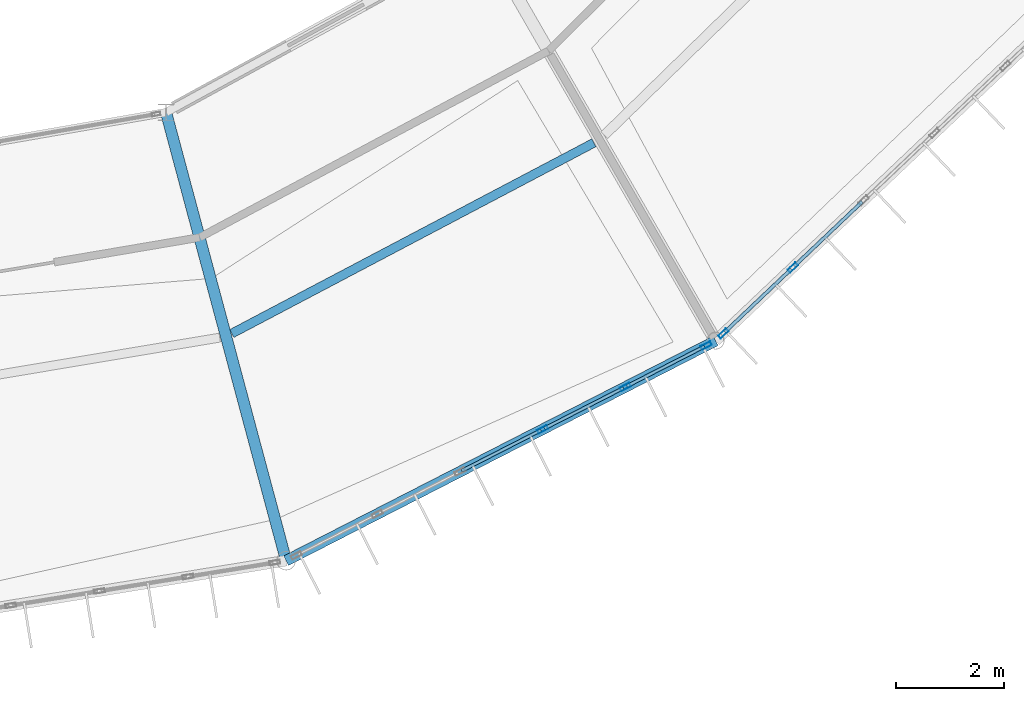
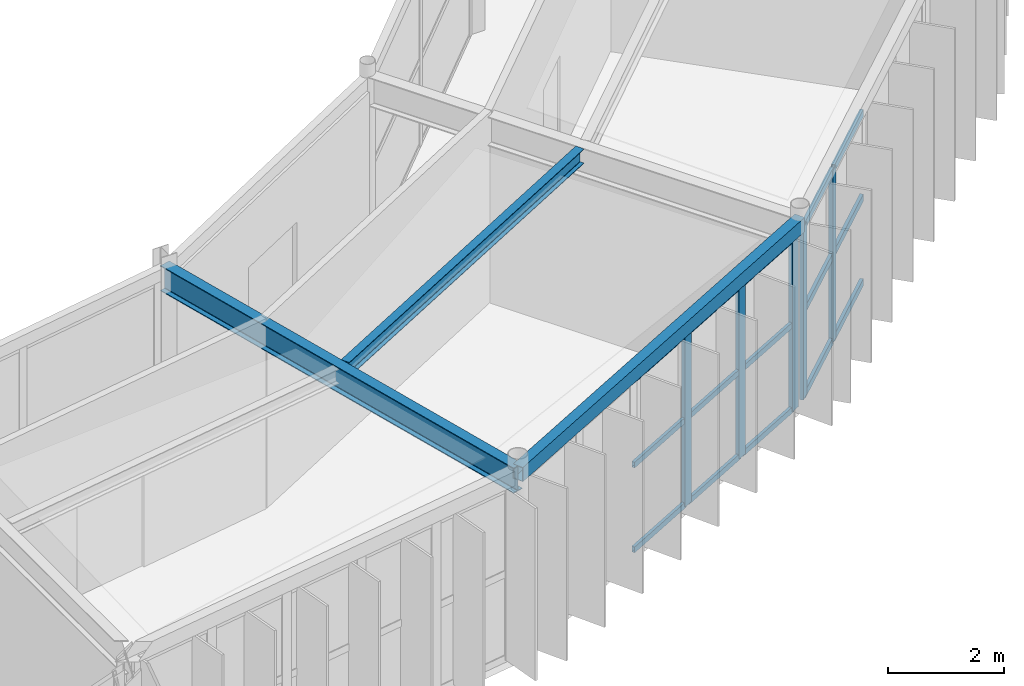
# One storey, part 48 of 147: 20 members, 3 beams, 2 elements without a shape of their own.
"""IFC4 building model written with IfcOpenShell, lengths in metres."""

from ifc_helpers import new_model, si_unit, direction, frame, origin, origin_2d, place, context, subcontext, project, spatial, hollow_rectangle, i_section, extrude, material, material_profile, profile_set, type_object, element, aggregate, save


model = new_model("IFC4")

# Units and contexts
model_context = context("Model", 3, precision=1e-05, world=origin(), true_north=direction((0.0, 1.0)))
body_context = subcontext(model_context, "Body", "Model", "MODEL_VIEW")
ifc_project = project(units=[si_unit("LENGTHUNIT", "METRE"), si_unit("AREAUNIT", "SQUARE_METRE"), si_unit("VOLUMEUNIT", "CUBIC_METRE"), si_unit("PLANEANGLEUNIT", "RADIAN"), si_unit("MASSUNIT", "GRAM", prefix="KILO")], contexts=[model_context])

# Site, building, storey
site_placement = place(None, origin())
site = spatial("IfcSite", under=ifc_project, at=site_placement, CompositionType="ELEMENT")
building_placement = place(site_placement, origin())
building = spatial("IfcBuilding", under=site, at=building_placement, Name="Karori Crest Natural Sciences Institute", CompositionType="ELEMENT")
storey_placement = place(building_placement, frame((0.0, 0.0, 9.10009765625)))
storey = spatial("IfcBuildingStorey", under=building, at=storey_placement, Name="L02", CompositionType="ELEMENT", Elevation=9.10009765625)

# Beams
ifc_material_1 = material(Name="Structural steel AS/NZS 3679.1 Grade 350", Category="steel")
ifc_material_profile_1 = material_profile(ifc_material_1, i_section(OverallWidth=0.208984375, OverallDepth=0.532958984375, WebThickness=0.01025390625, FlangeThickness=0.015625, FilletRadius=0.013916015625, at=origin_2d()), Name="530UB92.4")
ifc_profile_set_1 = profile_set([ifc_material_profile_1], Name="Structural steel AS/NZS 3679.1 Grade 350")
beam_type_1 = type_object("IfcBeamType", Name="BT-05", PredefinedType="BEAM", material=ifc_profile_set_1)
beam_1_placement = place(storey_placement, frame((72.715087890625, 18.797119140625, 3.67333984375), z_axis=(0.258819806009, -0.965925622404, 0.0), x_axis=(0.965925622404, 0.258819806009, 0.0)))
element("IfcBeam", 1, at=beam_1_placement, inside=storey, type_object=beam_type_1, Name="Beam B-0344", PredefinedType="BEAM", context=body_context, shape_type="SweptSolid", body=[
    extrude(i_section(OverallWidth=0.208984375, OverallDepth=0.532958984375, WebThickness=0.01025390625, FlangeThickness=0.015625, FilletRadius=0.013916015625, at=origin_2d()), origin(), (0.0, 0.0, 1.0), 8.599853515625),
])
ifc_material_profile_2 = material_profile(ifc_material_1, i_section(OverallWidth=0.166015625, OverallDepth=0.306884765625, WebThickness=0.006591796875, FlangeThickness=0.01171875, FilletRadius=0.010986328125, at=origin_2d()), Name="310UB46.2")
ifc_profile_set_2 = profile_set([ifc_material_profile_2], Name="Structural steel AS/NZS 3679.1 Grade 350")
beam_type_2 = type_object("IfcBeamType", Name="BT-09", PredefinedType="BEAM", material=ifc_profile_set_2)
beam_2_placement = place(storey_placement, frame((73.934326171875, 14.69970703125, 3.786376953125), z_axis=(0.884748465601, 0.466068828197, 0.0), x_axis=(-0.466068828197, 0.884748465601, 0.0)))
element("IfcBeam", 2, at=beam_2_placement, inside=storey, type_object=beam_type_2, Name="Beam B-0345", PredefinedType="BEAM", context=body_context, shape_type="SweptSolid", body=[
    extrude(i_section(OverallWidth=0.166015625, OverallDepth=0.306884765625, WebThickness=0.006591796875, FlangeThickness=0.01171875, FilletRadius=0.010986328125, at=origin_2d()), origin(), (0.0, 0.0, 1.0), 7.58349609375),
])
ifc_material_2 = material(Name="Hollow structural steel AS/NZS 1163 Grade C350", Category="steel")
ifc_material_profile_3 = material_profile(ifc_material_2, hollow_rectangle(XDim=0.199951171875, YDim=0.300048828125, WallThickness=0.010009765625, at=origin_2d()), Name="RHS300x200x10")
ifc_profile_set_3 = profile_set([ifc_material_profile_3], Name="Hollow structural steel AS/NZS 1163 Grade C350")
beam_type_3 = type_object("IfcBeamType", Name="BT-15", PredefinedType="SPANDREL", material=ifc_profile_set_3)
beam_3_placement = place(storey_placement, frame((74.94091796875, 10.490234375, 3.789794921875), z_axis=(0.890071733872, 0.455820478436, 0.0), x_axis=(-0.455820478436, 0.890071733872, 0.0)))
element("IfcBeam", 3, at=beam_3_placement, inside=storey, type_object=beam_type_3, Name="Beam B-0342", PredefinedType="SPANDREL", context=body_context, shape_type="SweptSolid", body=[
    extrude(hollow_rectangle(XDim=0.199951171875, YDim=0.300048828125, WallThickness=0.010009765625, at=origin_2d()), origin(), (0.0, 0.0, 1.0), 8.94189453125),
])

# Curtain wall, members
ifc_material_3 = material(Name="Anodised architectural aluminium 6063-T6", Category="aluminium")
curtain_wall_type_1 = type_object("IfcCurtainWallType", Name="CWT-10", PredefinedType="NOTDEFINED", material=ifc_material_3)
curtain_wall_1_placement = place(storey_placement, origin())
curtain_wall_1 = element("IfcCurtainWall", 4, at=curtain_wall_1_placement, inside=storey, type_object=curtain_wall_type_1, Name="Curtain wall CW-0093", PredefinedType="NOTDEFINED")
ifc_material_profile_4 = material_profile(ifc_material_3, hollow_rectangle(XDim=0.074951171875, YDim=0.199951171875, WallThickness=0.0048828125, at=origin_2d()), Name="CWM200x75x5")
ifc_profile_set_4 = profile_set([ifc_material_profile_4], Name="Anodised architectural aluminium 6063-T6")
member_type_1 = type_object("IfcMemberType", Name="CWM-02", PredefinedType="MULLION", material=ifc_profile_set_4)
member_1_placement = place(storey_placement, frame((82.72412109375, 14.476318359375, 0.0), z_axis=(0.0, 0.0, 1.0), x_axis=(0.455832988828, -0.890065326982, 0.0)))
member_1 = element("IfcMember", 5, at=member_1_placement, type_object=member_type_1, Name="CW-0093 mullion 1", PredefinedType="MULLION", context=body_context, shape_type="SweptSolid", body=[
    extrude(hollow_rectangle(XDim=0.074951171875, YDim=0.199951171875, WallThickness=0.0048828125, at=origin_2d()), origin(), (0.0, 0.0, 1.0), 3.625),
])
member_2_placement = place(storey_placement, frame((81.2255859375, 13.708740234375, 0.0), z_axis=(0.0, 0.0, 1.0), x_axis=(0.455832988828, -0.890065326982, 0.0)))
member_2 = element("IfcMember", 6, at=member_2_placement, type_object=member_type_1, Name="CW-0093 mullion 2", PredefinedType="MULLION", context=body_context, shape_type="SweptSolid", body=[
    extrude(hollow_rectangle(XDim=0.074951171875, YDim=0.199951171875, WallThickness=0.0048828125, at=origin_2d()), origin(), (0.0, 0.0, 1.0), 3.625),
])
member_3_placement = place(storey_placement, frame((79.693603515625, 12.924072265625, 0.0), z_axis=(0.0, 0.0, 1.0), x_axis=(0.455832988828, -0.890065326982, 0.0)))
member_3 = element("IfcMember", 7, at=member_3_placement, type_object=member_type_1, Name="CW-0093 mullion 3", PredefinedType="MULLION", context=body_context, shape_type="SweptSolid", body=[
    extrude(hollow_rectangle(XDim=0.074951171875, YDim=0.199951171875, WallThickness=0.0048828125, at=origin_2d()), origin(), (0.0, 0.0, 1.0), 3.625),
])

curtain_wall_type_2 = type_object("IfcCurtainWallType", Name="CWT-01", PredefinedType="NOTDEFINED", material=ifc_material_3)
curtain_wall_2_placement = place(storey_placement, origin())
curtain_wall_2 = element("IfcCurtainWall", 8, at=curtain_wall_2_placement, inside=storey, type_object=curtain_wall_type_2, Name="Curtain wall CW-0094", PredefinedType="NOTDEFINED")
member_4_placement = place(storey_placement, frame((84.3291015625, 15.921875, 0.0), z_axis=(0.0, 0.0, 1.0), x_axis=(0.688250886925, -0.725472753897, 0.0)))
member_4 = element("IfcMember", 9, at=member_4_placement, type_object=member_type_1, Name="CW-0094 mullion 5", PredefinedType="MULLION", context=body_context, shape_type="SweptSolid", body=[
    extrude(hollow_rectangle(XDim=0.074951171875, YDim=0.199951171875, WallThickness=0.0048828125, at=origin_2d()), origin(), (0.0, 0.0, 1.0), 3.625),
])
member_5_placement = place(storey_placement, frame((83.043212890625, 14.7021484375, 0.0), z_axis=(0.0, 0.0, 1.0), x_axis=(0.688250886925, -0.725472753897, 0.0)))
member_5 = element("IfcMember", 10, at=member_5_placement, type_object=member_type_1, Name="CW-0094 mullion 6", PredefinedType="MULLION", context=body_context, shape_type="SweptSolid", body=[
    extrude(hollow_rectangle(XDim=0.074951171875, YDim=0.199951171875, WallThickness=0.0048828125, at=origin_2d()), origin(), (0.0, 0.0, 1.0), 3.625),
])

# Member
ifc_material_profile_5 = material_profile(ifc_material_3, hollow_rectangle(XDim=0.06005859375, YDim=0.1201171875, WallThickness=0.00390625, at=origin_2d()), Name="CWT120x60x4")
ifc_profile_set_5 = profile_set([ifc_material_profile_5], Name="Anodised architectural aluminium 6063-T6")
member_type_2 = type_object("IfcMemberType", Name="CWT-TR1", PredefinedType="USERDEFINED", material=ifc_profile_set_5)
member_6_placement = place(storey_placement, frame((82.69091796875, 14.459228515625, 0.02978515625), z_axis=(-0.890044866674, -0.455872937679, 0.0), x_axis=(0.455872937679, -0.890044866674, 0.0)))
member_6 = element("IfcMember", 11, at=member_6_placement, type_object=member_type_2, Name="CW-0093 transom 1.1", ObjectType="TRANSOM", PredefinedType="USERDEFINED", context=body_context, shape_type="SweptSolid", body=[
    extrude(hollow_rectangle(XDim=0.06005859375, YDim=0.1201171875, WallThickness=0.00390625, at=origin_2d()), origin(), (0.0, 0.0, 1.0), 1.60888671875),
])

member_7_placement = place(storey_placement, frame((82.69091796875, 14.459228515625, 1.8125), z_axis=(-0.890044866674, -0.455872937679, 0.0), x_axis=(0.455872937679, -0.890044866674, 0.0)))
member_7 = element("IfcMember", 12, at=member_7_placement, type_object=member_type_2, Name="CW-0093 transom 1.2", ObjectType="TRANSOM", PredefinedType="USERDEFINED", context=body_context, shape_type="SweptSolid", body=[
    extrude(hollow_rectangle(XDim=0.06005859375, YDim=0.1201171875, WallThickness=0.00390625, at=origin_2d()), origin(), (0.0, 0.0, 1.0), 1.60888671875),
])

member_8_placement = place(storey_placement, frame((82.69091796875, 14.459228515625, 3.594970703125), z_axis=(-0.890044866674, -0.455872937679, 0.0), x_axis=(0.455872937679, -0.890044866674, 0.0)))
member_8 = element("IfcMember", 13, at=member_8_placement, type_object=member_type_2, Name="CW-0093 transom 1.3", ObjectType="TRANSOM", PredefinedType="USERDEFINED", context=body_context, shape_type="SweptSolid", body=[
    extrude(hollow_rectangle(XDim=0.06005859375, YDim=0.1201171875, WallThickness=0.00390625, at=origin_2d()), origin(), (0.0, 0.0, 1.0), 1.60888671875),
])

member_9_placement = place(storey_placement, frame((81.192138671875, 13.691650390625, 0.02978515625), z_axis=(-0.890024283327, -0.455913122304, 0.0), x_axis=(0.455913122304, -0.890024283327, 0.0)))
member_9 = element("IfcMember", 14, at=member_9_placement, type_object=member_type_2, Name="CW-0093 transom 2.1", ObjectType="TRANSOM", PredefinedType="USERDEFINED", context=body_context, shape_type="SweptSolid", body=[
    extrude(hollow_rectangle(XDim=0.06005859375, YDim=0.1201171875, WallThickness=0.00390625, at=origin_2d()), origin(), (0.0, 0.0, 1.0), 1.646240234375),
])

member_10_placement = place(storey_placement, frame((81.192138671875, 13.691650390625, 1.8125), z_axis=(-0.890024283327, -0.455913122304, 0.0), x_axis=(0.455913122304, -0.890024283327, 0.0)))
member_10 = element("IfcMember", 15, at=member_10_placement, type_object=member_type_2, Name="CW-0093 transom 2.2", ObjectType="TRANSOM", PredefinedType="USERDEFINED", context=body_context, shape_type="SweptSolid", body=[
    extrude(hollow_rectangle(XDim=0.06005859375, YDim=0.1201171875, WallThickness=0.00390625, at=origin_2d()), origin(), (0.0, 0.0, 1.0), 1.646240234375),
])

member_11_placement = place(storey_placement, frame((81.192138671875, 13.691650390625, 3.594970703125), z_axis=(-0.890024283327, -0.455913122304, 0.0), x_axis=(0.455913122304, -0.890024283327, 0.0)))
member_11 = element("IfcMember", 16, at=member_11_placement, type_object=member_type_2, Name="CW-0093 transom 2.3", ObjectType="TRANSOM", PredefinedType="USERDEFINED", context=body_context, shape_type="SweptSolid", body=[
    extrude(hollow_rectangle(XDim=0.06005859375, YDim=0.1201171875, WallThickness=0.00390625, at=origin_2d()), origin(), (0.0, 0.0, 1.0), 1.646240234375),
])

member_12_placement = place(storey_placement, frame((79.66015625, 12.906982421875, 0.02978515625), z_axis=(-0.890055105015, -0.45585294782, 0.0), x_axis=(0.45585294782, -0.890055105015, 0.0)))
member_12 = element("IfcMember", 17, at=member_12_placement, type_object=member_type_2, Name="CW-0093 transom 3.1", ObjectType="TRANSOM", PredefinedType="USERDEFINED", context=body_context, shape_type="SweptSolid", body=[
    extrude(hollow_rectangle(XDim=0.06005859375, YDim=0.1201171875, WallThickness=0.00390625, at=origin_2d()), origin(), (0.0, 0.0, 1.0), 1.646240234375),
])

member_13_placement = place(storey_placement, frame((79.66015625, 12.906982421875, 1.8125), z_axis=(-0.890055105015, -0.45585294782, 0.0), x_axis=(0.45585294782, -0.890055105015, 0.0)))
member_13 = element("IfcMember", 18, at=member_13_placement, type_object=member_type_2, Name="CW-0093 transom 3.2", ObjectType="TRANSOM", PredefinedType="USERDEFINED", context=body_context, shape_type="SweptSolid", body=[
    extrude(hollow_rectangle(XDim=0.06005859375, YDim=0.1201171875, WallThickness=0.00390625, at=origin_2d()), origin(), (0.0, 0.0, 1.0), 1.646240234375),
])

member_14_placement = place(storey_placement, frame((79.66015625, 12.906982421875, 3.594970703125), z_axis=(-0.890055105015, -0.45585294782, 0.0), x_axis=(0.45585294782, -0.890055105015, 0.0)))
member_14 = element("IfcMember", 19, at=member_14_placement, type_object=member_type_2, Name="CW-0093 transom 3.3", ObjectType="TRANSOM", PredefinedType="USERDEFINED", context=body_context, shape_type="SweptSolid", body=[
    extrude(hollow_rectangle(XDim=0.06005859375, YDim=0.1201171875, WallThickness=0.00390625, at=origin_2d()), origin(), (0.0, 0.0, 1.0), 1.646240234375),
])

aggregate(curtain_wall_1, [member_1, member_2, member_3, member_6, member_7, member_8, member_9, member_10, member_11, member_12, member_13, member_14])

ifc_material_profile_6 = material_profile(ifc_material_3, hollow_rectangle(XDim=0.06494140625, YDim=0.14990234375, WallThickness=0.00390625, at=origin_2d()), Name="CWT150x65x4")
ifc_profile_set_6 = profile_set([ifc_material_profile_6], Name="Anodised architectural aluminium 6063-T6")
member_type_3 = type_object("IfcMemberType", Name="CWT-TR2", PredefinedType="USERDEFINED", material=ifc_profile_set_6)
member_15_placement = place(storey_placement, frame((85.61474609375, 17.1416015625, 0.032470703125), z_axis=(-0.72543847461, -0.688287018296, 0.0), x_axis=(0.688287018296, -0.72543847461, 0.0)))
member_15 = element("IfcMember", 20, at=member_15_placement, type_object=member_type_3, Name="CW-0094 transom 4.1", ObjectType="TRANSOM", PredefinedType="USERDEFINED", context=body_context, shape_type="SweptSolid", body=[
    extrude(hollow_rectangle(XDim=0.06494140625, YDim=0.14990234375, WallThickness=0.00390625, at=origin_2d()), origin(), (0.0, 0.0, 1.0), 1.73486328125),
])

member_16_placement = place(storey_placement, frame((85.61474609375, 17.1416015625, 1.8125), z_axis=(-0.72543847461, -0.688287018296, 0.0), x_axis=(0.688287018296, -0.72543847461, 0.0)))
member_16 = element("IfcMember", 21, at=member_16_placement, type_object=member_type_3, Name="CW-0094 transom 4.2", ObjectType="TRANSOM", PredefinedType="USERDEFINED", context=body_context, shape_type="SweptSolid", body=[
    extrude(hollow_rectangle(XDim=0.06494140625, YDim=0.14990234375, WallThickness=0.00390625, at=origin_2d()), origin(), (0.0, 0.0, 1.0), 1.73486328125),
])

member_17_placement = place(storey_placement, frame((85.61474609375, 17.1416015625, 3.59228515625), z_axis=(-0.72543847461, -0.688287018296, 0.0), x_axis=(0.688287018296, -0.72543847461, 0.0)))
member_17 = element("IfcMember", 22, at=member_17_placement, type_object=member_type_3, Name="CW-0094 transom 4.3", ObjectType="TRANSOM", PredefinedType="USERDEFINED", context=body_context, shape_type="SweptSolid", body=[
    extrude(hollow_rectangle(XDim=0.06494140625, YDim=0.14990234375, WallThickness=0.00390625, at=origin_2d()), origin(), (0.0, 0.0, 1.0), 1.73486328125),
])

member_18_placement = place(storey_placement, frame((84.3017578125, 15.89599609375, 0.032470703125), z_axis=(-0.725491325222, -0.6882313107, 0.0), x_axis=(0.6882313107, -0.725491325222, 0.0)))
member_18 = element("IfcMember", 23, at=member_18_placement, type_object=member_type_3, Name="CW-0094 transom 5.1", ObjectType="TRANSOM", PredefinedType="USERDEFINED", context=body_context, shape_type="SweptSolid", body=[
    extrude(hollow_rectangle(XDim=0.06494140625, YDim=0.14990234375, WallThickness=0.00390625, at=origin_2d()), origin(), (0.0, 0.0, 1.0), 1.697021484375),
])

member_19_placement = place(storey_placement, frame((84.3017578125, 15.89599609375, 1.8125), z_axis=(-0.725491325222, -0.6882313107, 0.0), x_axis=(0.6882313107, -0.725491325222, 0.0)))
member_19 = element("IfcMember", 24, at=member_19_placement, type_object=member_type_3, Name="CW-0094 transom 5.2", ObjectType="TRANSOM", PredefinedType="USERDEFINED", context=body_context, shape_type="SweptSolid", body=[
    extrude(hollow_rectangle(XDim=0.06494140625, YDim=0.14990234375, WallThickness=0.00390625, at=origin_2d()), origin(), (0.0, 0.0, 1.0), 1.697021484375),
])

member_20_placement = place(storey_placement, frame((84.3017578125, 15.89599609375, 3.59228515625), z_axis=(-0.725491325222, -0.6882313107, 0.0), x_axis=(0.6882313107, -0.725491325222, 0.0)))
member_20 = element("IfcMember", 25, at=member_20_placement, type_object=member_type_3, Name="CW-0094 transom 5.3", ObjectType="TRANSOM", PredefinedType="USERDEFINED", context=body_context, shape_type="SweptSolid", body=[
    extrude(hollow_rectangle(XDim=0.06494140625, YDim=0.14990234375, WallThickness=0.00390625, at=origin_2d()), origin(), (0.0, 0.0, 1.0), 1.697021484375),
])

aggregate(curtain_wall_2, [member_4, member_5, member_15, member_16, member_17, member_18, member_19, member_20])

save(model, "model.ifc")
